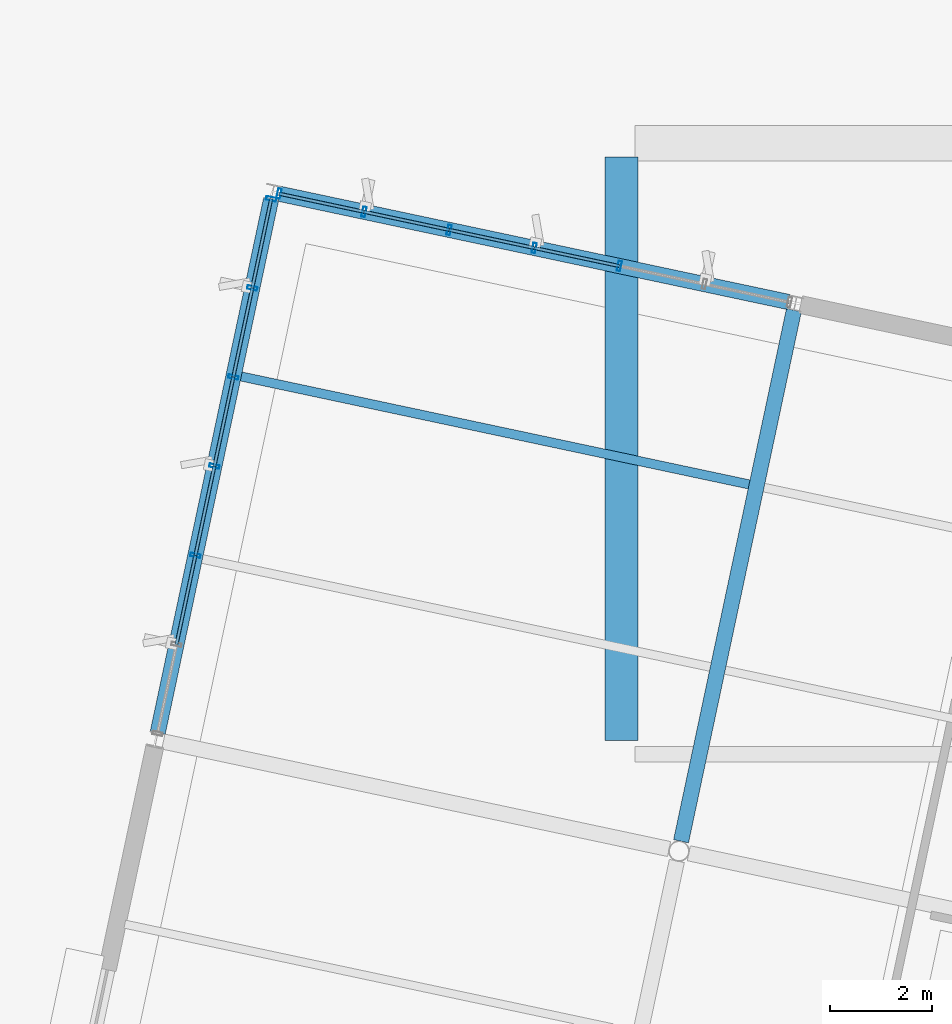
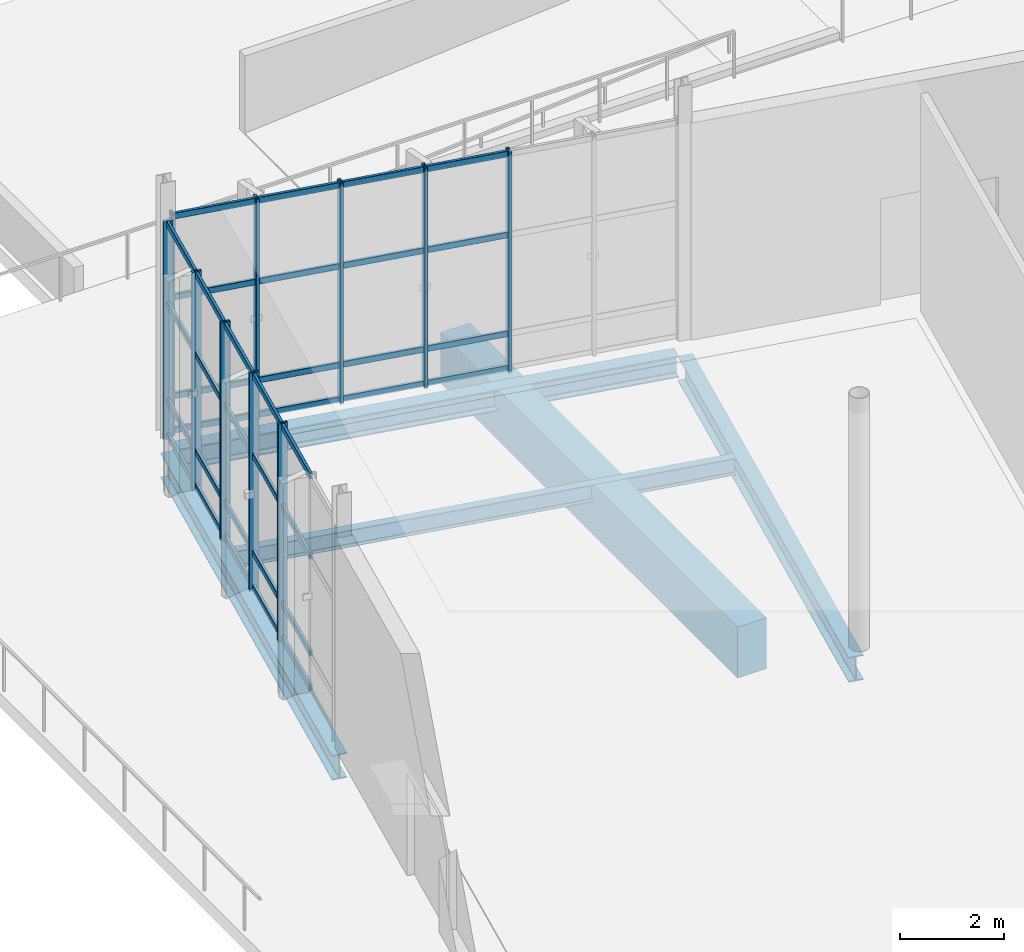
# One storey, part 55 of 163: 46 members, 5 beams, 2 elements without a shape of their own.
"""IFC4 building model written with IfcOpenShell, lengths in metres."""

from ifc_helpers import new_model, si_unit, direction, frame, origin, origin_2d, place, context, subcontext, project, spatial, rectangle, hollow_rectangle, i_section, extrude, material, layer, layer_set, material_profile, profile_set, type_object, element, aggregate, save


model = new_model("IFC4")

# Units and contexts
model_context = context("Model", 3, precision=1e-05, world=origin(), true_north=direction((0.0, 1.0)))
body_context = subcontext(model_context, "Body", "Model", "MODEL_VIEW")
ifc_project = project(units=[si_unit("LENGTHUNIT", "METRE"), si_unit("AREAUNIT", "SQUARE_METRE"), si_unit("VOLUMEUNIT", "CUBIC_METRE"), si_unit("PLANEANGLEUNIT", "RADIAN"), si_unit("MASSUNIT", "GRAM", prefix="KILO")], contexts=[model_context])

# Site, building, storey
site_placement = place(None, origin())
site = spatial("IfcSite", under=ifc_project, at=site_placement, CompositionType="ELEMENT")
building_placement = place(site_placement, origin())
building = spatial("IfcBuilding", under=site, at=building_placement, Name="Khorjan Park Terminus", CompositionType="ELEMENT")
storey_placement = place(building_placement, origin())
storey = spatial("IfcBuildingStorey", under=building, at=storey_placement, Name="L00", CompositionType="ELEMENT", Elevation=0.0)

# Beams
ifc_material_1 = material(Name="Steel S355", Category="steel")
ifc_material_profile_1 = material_profile(ifc_material_1, i_section(OverallWidth=0.3, OverallDepth=0.59, WebThickness=0.013, FlangeThickness=0.025, FilletRadius=0.027, at=origin_2d()), Name="HEA 600")
ifc_profile_set_1 = profile_set([ifc_material_profile_1], Name="Steel S355")
beam_type_1 = type_object("IfcBeamType", Name="BM-HEA600", PredefinedType="BEAM", material=ifc_profile_set_1)
beam_1_placement = place(storey_placement, frame((0.8912, 74.4207, -0.635), z_axis=(0.207916823947, 0.978146509639, 0.0), x_axis=(-0.978146509639, 0.207916823947, 0.0)))
element("IfcBeam", 1, at=beam_1_placement, inside=storey, type_object=beam_type_1, Name="Primary skew-grid floor girder SB-A60 (L00)", PredefinedType="BEAM", context=body_context, shape_type="SweptSolid", body=[
    extrude(i_section(OverallWidth=0.3, OverallDepth=0.59, WebThickness=0.013, FlangeThickness=0.025, FilletRadius=0.027, at=origin_2d()), origin(), (0.0, 0.0, 1.0), 10.7101),
])
beam_2_placement = place(storey_placement, frame((11.1728, 72.2897, -0.635), z_axis=(0.207916050279, 0.978146674091, 0.0), x_axis=(-0.978146674091, 0.207916050279, 0.0)))
element("IfcBeam", 2, at=beam_2_placement, inside=storey, type_object=beam_type_1, Name="Primary skew-grid floor girder SB-A60 (L00)", PredefinedType="BEAM", context=body_context, shape_type="SweptSolid", body=[
    extrude(i_section(OverallWidth=0.3, OverallDepth=0.59, WebThickness=0.013, FlangeThickness=0.025, FilletRadius=0.027, at=origin_2d()), origin(), (0.0, 0.0, 1.0), 10.6668),
])
ifc_material_profile_2 = material_profile(ifc_material_1, i_section(OverallWidth=0.3, OverallDepth=0.5, WebThickness=0.0145, FlangeThickness=0.028, FilletRadius=0.027, at=origin_2d()), Name="HEB 500")
ifc_profile_set_2 = profile_set([ifc_material_profile_2], Name="Steel S355")
beam_type_2 = type_object("IfcBeamType", Name="BM-HEB500", PredefinedType="BEAM", material=ifc_profile_set_2)
beam_3_placement = place(storey_placement, frame((3.2899, 85.0083, -0.59), z_axis=(0.978148877835, -0.207905682438, 0.0), x_axis=(0.207905682438, 0.978148877835, 0.0)))
element("IfcBeam", 3, at=beam_3_placement, inside=storey, type_object=beam_type_2, Name="Primary skew-grid floor girder SB-B50 (L00)", PredefinedType="BEAM", context=body_context, shape_type="SweptSolid", body=[
    extrude(i_section(OverallWidth=0.3, OverallDepth=0.5, WebThickness=0.0145, FlangeThickness=0.028, FilletRadius=0.027, at=origin_2d()), origin(), (0.0, 0.0, 1.0), 10.22),
])
ifc_material_2 = material(Name="Concrete C40/50", Category="concrete")
ifc_material_profile_3 = material_profile(ifc_material_2, rectangle(XDim=0.65, YDim=1.2, at=origin_2d()), Name="RC 650x1200")
ifc_profile_set_3 = profile_set([ifc_material_profile_3], Name="Concrete C40/50")
beam_type_3 = type_object("IfcBeamType", Name="BM-RC650x1200", PredefinedType="BEAM", material=ifc_profile_set_3)
beam_4_placement = place(storey_placement, frame((10.0, 74.27, -0.94), z_axis=(0.0, 1.0, 0.0), x_axis=(-1.0, 0.0, 0.0)))
element("IfcBeam", 4, at=beam_4_placement, inside=storey, type_object=beam_type_3, Name="Primary floor girder GB-12 (L00)", PredefinedType="BEAM", context=body_context, shape_type="SweptSolid", body=[
    extrude(rectangle(XDim=0.65, YDim=1.2, at=origin_2d()), origin(), (0.0, 0.0, 1.0), 11.46),
])
ifc_material_profile_4 = material_profile(ifc_material_1, i_section(OverallWidth=0.18, OverallDepth=0.4, WebThickness=0.0086, FlangeThickness=0.0135, FilletRadius=0.021, at=origin_2d()), Name="IPE 400")
ifc_profile_set_4 = profile_set([ifc_material_profile_4], Name="Steel S355")
beam_type_4 = type_object("IfcBeamType", Name="JS-IPE400", PredefinedType="JOIST", material=ifc_profile_set_4)
beam_5_placement = place(storey_placement, frame((2.5325, 81.4207, -0.54), z_axis=(0.978147562282, -0.207911871719, 0.0), x_axis=(0.207911871719, 0.978147562282, 0.0)))
element("IfcBeam", 5, at=beam_5_placement, inside=storey, type_object=beam_type_4, Name="Secondary composite floor joist SJ-40 (L00)", PredefinedType="JOIST", context=body_context, shape_type="SweptSolid", body=[
    extrude(i_section(OverallWidth=0.18, OverallDepth=0.4, WebThickness=0.0086, FlangeThickness=0.0135, FilletRadius=0.021, at=origin_2d()), origin(), (0.0, 0.0, 1.0), 10.2),
])

# Curtain wall, members
ifc_material_3 = material(Name="Anodized Bronze Aluminium", Category="aluminium")
ifc_layer = layer(ifc_material_3, 0.22)
ifc_layer_set = layer_set([ifc_layer], Name="Anodized Bronze Aluminium")
curtain_wall_type = type_object("IfcCurtainWallType", Name="CW-PAV-C", PredefinedType="NOTDEFINED", material=ifc_layer_set)
curtain_wall_1_placement = place(storey_placement, origin())
curtain_wall_1 = element("IfcCurtainWall", 6, at=curtain_wall_1_placement, inside=storey, type_object=curtain_wall_type, Name="Unitized curtain wall CW-C (CW-V4-N-L00-B03)", PredefinedType="NOTDEFINED")
ifc_material_profile_5 = material_profile(ifc_material_3, hollow_rectangle(XDim=0.07, YDim=0.2, WallThickness=0.005, InnerFilletRadius=0.005, OuterFilletRadius=0.01, at=origin_2d()), Name="ALM 70x200x5")
ifc_profile_set_5 = profile_set([ifc_material_profile_5], Name="Anodized Bronze Aluminium")
member_type_1 = type_object("IfcMemberType", Name="ML-ALM-200", PredefinedType="MULLION", material=ifc_profile_set_5)
member_1_placement = place(storey_placement, frame((9.9596, 83.5907, -0.035), z_axis=(0.0, 0.0, 1.0), x_axis=(-0.978147146591, 0.207913827382, 0.0)))
member_1 = element("IfcMember", 7, at=member_1_placement, type_object=member_type_1, Name="Curtain-wall mullion ML-20 (CW-V4-N-L00-B03-2)", PredefinedType="MULLION", context=body_context, shape_type="SweptSolid", body=[
    extrude(hollow_rectangle(XDim=0.07, YDim=0.2, WallThickness=0.005, InnerFilletRadius=0.005, OuterFilletRadius=0.01, at=origin_2d()), origin(), (0.0, 0.0, 1.0), 5.195),
])
member_2_placement = place(storey_placement, frame((8.2885, 83.9459, -0.035), z_axis=(0.0, 0.0, 1.0), x_axis=(-0.978147146591, 0.207913827382, 0.0)))
member_2 = element("IfcMember", 8, at=member_2_placement, type_object=member_type_1, Name="Curtain-wall mullion ML-20 (CW-V4-N-L00-B03-3)", PredefinedType="MULLION", context=body_context, shape_type="SweptSolid", body=[
    extrude(hollow_rectangle(XDim=0.07, YDim=0.2, WallThickness=0.005, InnerFilletRadius=0.005, OuterFilletRadius=0.01, at=origin_2d()), origin(), (0.0, 0.0, 1.0), 5.195),
])
member_3_placement = place(storey_placement, frame((6.6174, 84.3011, -0.035), z_axis=(0.0, 0.0, 1.0), x_axis=(-0.978147146591, 0.207913827382, 0.0)))
member_3 = element("IfcMember", 9, at=member_3_placement, type_object=member_type_1, Name="Curtain-wall mullion ML-20 (CW-V4-N-L00-B03-4)", PredefinedType="MULLION", context=body_context, shape_type="SweptSolid", body=[
    extrude(hollow_rectangle(XDim=0.07, YDim=0.2, WallThickness=0.005, InnerFilletRadius=0.005, OuterFilletRadius=0.01, at=origin_2d()), origin(), (0.0, 0.0, 1.0), 5.195),
])
member_4_placement = place(storey_placement, frame((4.9464, 84.6563, -0.035), z_axis=(0.0, 0.0, 1.0), x_axis=(-0.978147146591, 0.207913827382, 0.0)))
member_4 = element("IfcMember", 10, at=member_4_placement, type_object=member_type_1, Name="Curtain-wall mullion ML-20 (CW-V4-N-L00-B03-5)", PredefinedType="MULLION", context=body_context, shape_type="SweptSolid", body=[
    extrude(hollow_rectangle(XDim=0.07, YDim=0.2, WallThickness=0.005, InnerFilletRadius=0.005, OuterFilletRadius=0.01, at=origin_2d()), origin(), (0.0, 0.0, 1.0), 5.195),
])
member_5_placement = place(storey_placement, frame((3.2753, 85.0115, -0.035), z_axis=(0.0, 0.0, 1.0), x_axis=(-0.978147146591, 0.207913827382, 0.0)))
member_5 = element("IfcMember", 11, at=member_5_placement, type_object=member_type_1, Name="Curtain-wall mullion ML-20 (CW-V4-N-L00-B03-6)", PredefinedType="MULLION", context=body_context, shape_type="SweptSolid", body=[
    extrude(hollow_rectangle(XDim=0.07, YDim=0.2, WallThickness=0.005, InnerFilletRadius=0.005, OuterFilletRadius=0.01, at=origin_2d()), origin(), (0.0, 0.0, 1.0), 5.195),
])

curtain_wall_2_placement = place(storey_placement, origin())
curtain_wall_2 = element("IfcCurtainWall", 12, at=curtain_wall_2_placement, inside=storey, type_object=curtain_wall_type, Name="Unitized curtain wall CW-C (CW-V4-W-L00-B01)", PredefinedType="NOTDEFINED")
member_6_placement = place(storey_placement, frame((3.121, 84.9108, -0.035), z_axis=(0.0, 0.0, 1.0), x_axis=(-0.207916776669, -0.978146519689, 0.0)))
member_6 = element("IfcMember", 13, at=member_6_placement, type_object=member_type_1, Name="Curtain-wall mullion ML-20 (CW-V4-W-L00-B01-0)", PredefinedType="MULLION", context=body_context, shape_type="SweptSolid", body=[
    extrude(hollow_rectangle(XDim=0.07, YDim=0.2, WallThickness=0.005, InnerFilletRadius=0.005, OuterFilletRadius=0.01, at=origin_2d()), origin(), (0.0, 0.0, 1.0), 5.135),
])
member_7_placement = place(storey_placement, frame((2.7489, 83.16, -0.035), z_axis=(0.0, 0.0, 1.0), x_axis=(-0.207916776669, -0.978146519689, 0.0)))
member_7 = element("IfcMember", 14, at=member_7_placement, type_object=member_type_1, Name="Curtain-wall mullion ML-20 (CW-V4-W-L00-B01-1)", PredefinedType="MULLION", context=body_context, shape_type="SweptSolid", body=[
    extrude(hollow_rectangle(XDim=0.07, YDim=0.2, WallThickness=0.005, InnerFilletRadius=0.005, OuterFilletRadius=0.01, at=origin_2d()), origin(), (0.0, 0.0, 1.0), 5.135),
])
member_8_placement = place(storey_placement, frame((2.3767, 81.4092, -0.035), z_axis=(0.0, 0.0, 1.0), x_axis=(-0.207916776669, -0.978146519689, 0.0)))
member_8 = element("IfcMember", 15, at=member_8_placement, type_object=member_type_1, Name="Curtain-wall mullion ML-20 (CW-V4-W-L00-B01-2)", PredefinedType="MULLION", context=body_context, shape_type="SweptSolid", body=[
    extrude(hollow_rectangle(XDim=0.07, YDim=0.2, WallThickness=0.005, InnerFilletRadius=0.005, OuterFilletRadius=0.01, at=origin_2d()), origin(), (0.0, 0.0, 1.0), 5.135),
])
member_9_placement = place(storey_placement, frame((2.0046, 79.6584, -0.035), z_axis=(0.0, 0.0, 1.0), x_axis=(-0.207916776669, -0.978146519689, 0.0)))
member_9 = element("IfcMember", 16, at=member_9_placement, type_object=member_type_1, Name="Curtain-wall mullion ML-20 (CW-V4-W-L00-B01-3)", PredefinedType="MULLION", context=body_context, shape_type="SweptSolid", body=[
    extrude(hollow_rectangle(XDim=0.07, YDim=0.2, WallThickness=0.005, InnerFilletRadius=0.005, OuterFilletRadius=0.01, at=origin_2d()), origin(), (0.0, 0.0, 1.0), 5.135),
])
member_10_placement = place(storey_placement, frame((1.6324, 77.9077, -0.035), z_axis=(0.0, 0.0, 1.0), x_axis=(-0.207916776669, -0.978146519689, 0.0)))
member_10 = element("IfcMember", 17, at=member_10_placement, type_object=member_type_1, Name="Curtain-wall mullion ML-20 (CW-V4-W-L00-B01-4)", PredefinedType="MULLION", context=body_context, shape_type="SweptSolid", body=[
    extrude(hollow_rectangle(XDim=0.07, YDim=0.2, WallThickness=0.005, InnerFilletRadius=0.005, OuterFilletRadius=0.01, at=origin_2d()), origin(), (0.0, 0.0, 1.0), 5.135),
])

# Member
ifc_material_profile_6 = material_profile(ifc_material_3, hollow_rectangle(XDim=0.065, YDim=0.14, WallThickness=0.004, InnerFilletRadius=0.004, OuterFilletRadius=0.008, at=origin_2d()), Name="ALT 65x140x4")
ifc_profile_set_6 = profile_set([ifc_material_profile_6], Name="Anodized Bronze Aluminium")
member_type_2 = type_object("IfcMemberType", Name="TR-ALT-140", PredefinedType="USERDEFINED", material=ifc_profile_set_6)
member_11_placement = place(storey_placement, frame((9.9596, 83.5907, 0.04), z_axis=(-0.978147990011, 0.207909859405, 0.0), x_axis=(-0.207909859405, -0.978147990011, 0.0)))
member_11 = element("IfcMember", 18, at=member_11_placement, type_object=member_type_2, Name="Curtain-wall transom TR-14 (CW-V4-N-L00-B03-2-1)", ObjectType="TRANSOM", PredefinedType="USERDEFINED", context=body_context, shape_type="SweptSolid", body=[
    extrude(hollow_rectangle(XDim=0.065, YDim=0.14, WallThickness=0.004, InnerFilletRadius=0.004, OuterFilletRadius=0.008, at=origin_2d()), origin(), (0.0, 0.0, 1.0), 1.7084),
])

member_12_placement = place(storey_placement, frame((9.9596, 83.5907, 0.85), z_axis=(-0.978147990011, 0.207909859405, 0.0), x_axis=(-0.207909859405, -0.978147990011, 0.0)))
member_12 = element("IfcMember", 19, at=member_12_placement, type_object=member_type_2, Name="Curtain-wall transom TR-14 (CW-V4-N-L00-B03-2-2)", ObjectType="TRANSOM", PredefinedType="USERDEFINED", context=body_context, shape_type="SweptSolid", body=[
    extrude(hollow_rectangle(XDim=0.065, YDim=0.14, WallThickness=0.004, InnerFilletRadius=0.004, OuterFilletRadius=0.008, at=origin_2d()), origin(), (0.0, 0.0, 1.0), 1.7084),
])

member_13_placement = place(storey_placement, frame((9.9596, 83.5907, 3.1775), z_axis=(-0.978147990011, 0.207909859405, 0.0), x_axis=(-0.207909859405, -0.978147990011, 0.0)))
member_13 = element("IfcMember", 20, at=member_13_placement, type_object=member_type_2, Name="Curtain-wall transom TR-14 (CW-V4-N-L00-B03-2-3)", ObjectType="TRANSOM", PredefinedType="USERDEFINED", context=body_context, shape_type="SweptSolid", body=[
    extrude(hollow_rectangle(XDim=0.065, YDim=0.14, WallThickness=0.004, InnerFilletRadius=0.004, OuterFilletRadius=0.008, at=origin_2d()), origin(), (0.0, 0.0, 1.0), 1.7084),
])

member_14_placement = place(storey_placement, frame((9.9596, 83.5907, 5.085), z_axis=(-0.978147990011, 0.207909859405, 0.0), x_axis=(-0.207909859405, -0.978147990011, 0.0)))
member_14 = element("IfcMember", 21, at=member_14_placement, type_object=member_type_2, Name="Curtain-wall transom TR-14 (CW-V4-N-L00-B03-2-4)", ObjectType="TRANSOM", PredefinedType="USERDEFINED", context=body_context, shape_type="SweptSolid", body=[
    extrude(hollow_rectangle(XDim=0.065, YDim=0.14, WallThickness=0.004, InnerFilletRadius=0.004, OuterFilletRadius=0.008, at=origin_2d()), origin(), (0.0, 0.0, 1.0), 1.7084),
])

member_15_placement = place(storey_placement, frame((8.2885, 83.9459, 0.04), z_axis=(-0.978147990011, 0.207909859405, 0.0), x_axis=(-0.207909859405, -0.978147990011, 0.0)))
member_15 = element("IfcMember", 22, at=member_15_placement, type_object=member_type_2, Name="Curtain-wall transom TR-14 (CW-V4-N-L00-B03-3-1)", ObjectType="TRANSOM", PredefinedType="USERDEFINED", context=body_context, shape_type="SweptSolid", body=[
    extrude(hollow_rectangle(XDim=0.065, YDim=0.14, WallThickness=0.004, InnerFilletRadius=0.004, OuterFilletRadius=0.008, at=origin_2d()), origin(), (0.0, 0.0, 1.0), 1.7084),
])

member_16_placement = place(storey_placement, frame((8.2885, 83.9459, 0.85), z_axis=(-0.978147990011, 0.207909859405, 0.0), x_axis=(-0.207909859405, -0.978147990011, 0.0)))
member_16 = element("IfcMember", 23, at=member_16_placement, type_object=member_type_2, Name="Curtain-wall transom TR-14 (CW-V4-N-L00-B03-3-2)", ObjectType="TRANSOM", PredefinedType="USERDEFINED", context=body_context, shape_type="SweptSolid", body=[
    extrude(hollow_rectangle(XDim=0.065, YDim=0.14, WallThickness=0.004, InnerFilletRadius=0.004, OuterFilletRadius=0.008, at=origin_2d()), origin(), (0.0, 0.0, 1.0), 1.7084),
])

member_17_placement = place(storey_placement, frame((8.2885, 83.9459, 3.1775), z_axis=(-0.978147990011, 0.207909859405, 0.0), x_axis=(-0.207909859405, -0.978147990011, 0.0)))
member_17 = element("IfcMember", 24, at=member_17_placement, type_object=member_type_2, Name="Curtain-wall transom TR-14 (CW-V4-N-L00-B03-3-3)", ObjectType="TRANSOM", PredefinedType="USERDEFINED", context=body_context, shape_type="SweptSolid", body=[
    extrude(hollow_rectangle(XDim=0.065, YDim=0.14, WallThickness=0.004, InnerFilletRadius=0.004, OuterFilletRadius=0.008, at=origin_2d()), origin(), (0.0, 0.0, 1.0), 1.7084),
])

member_18_placement = place(storey_placement, frame((8.2885, 83.9459, 5.085), z_axis=(-0.978147990011, 0.207909859405, 0.0), x_axis=(-0.207909859405, -0.978147990011, 0.0)))
member_18 = element("IfcMember", 25, at=member_18_placement, type_object=member_type_2, Name="Curtain-wall transom TR-14 (CW-V4-N-L00-B03-3-4)", ObjectType="TRANSOM", PredefinedType="USERDEFINED", context=body_context, shape_type="SweptSolid", body=[
    extrude(hollow_rectangle(XDim=0.065, YDim=0.14, WallThickness=0.004, InnerFilletRadius=0.004, OuterFilletRadius=0.008, at=origin_2d()), origin(), (0.0, 0.0, 1.0), 1.7084),
])

member_19_placement = place(storey_placement, frame((6.6174, 84.3011, 0.04), z_axis=(-0.978145459608, 0.207921763766, 0.0), x_axis=(-0.207921763766, -0.978145459608, 0.0)))
member_19 = element("IfcMember", 26, at=member_19_placement, type_object=member_type_2, Name="Curtain-wall transom TR-14 (CW-V4-N-L00-B03-4-1)", ObjectType="TRANSOM", PredefinedType="USERDEFINED", context=body_context, shape_type="SweptSolid", body=[
    extrude(hollow_rectangle(XDim=0.065, YDim=0.14, WallThickness=0.004, InnerFilletRadius=0.004, OuterFilletRadius=0.008, at=origin_2d()), origin(), (0.0, 0.0, 1.0), 1.7083),
])

member_20_placement = place(storey_placement, frame((6.6174, 84.3011, 0.85), z_axis=(-0.978145459608, 0.207921763766, 0.0), x_axis=(-0.207921763766, -0.978145459608, 0.0)))
member_20 = element("IfcMember", 27, at=member_20_placement, type_object=member_type_2, Name="Curtain-wall transom TR-14 (CW-V4-N-L00-B03-4-2)", ObjectType="TRANSOM", PredefinedType="USERDEFINED", context=body_context, shape_type="SweptSolid", body=[
    extrude(hollow_rectangle(XDim=0.065, YDim=0.14, WallThickness=0.004, InnerFilletRadius=0.004, OuterFilletRadius=0.008, at=origin_2d()), origin(), (0.0, 0.0, 1.0), 1.7083),
])

member_21_placement = place(storey_placement, frame((6.6174, 84.3011, 3.1775), z_axis=(-0.978145459608, 0.207921763766, 0.0), x_axis=(-0.207921763766, -0.978145459608, 0.0)))
member_21 = element("IfcMember", 28, at=member_21_placement, type_object=member_type_2, Name="Curtain-wall transom TR-14 (CW-V4-N-L00-B03-4-3)", ObjectType="TRANSOM", PredefinedType="USERDEFINED", context=body_context, shape_type="SweptSolid", body=[
    extrude(hollow_rectangle(XDim=0.065, YDim=0.14, WallThickness=0.004, InnerFilletRadius=0.004, OuterFilletRadius=0.008, at=origin_2d()), origin(), (0.0, 0.0, 1.0), 1.7083),
])

member_22_placement = place(storey_placement, frame((6.6174, 84.3011, 5.085), z_axis=(-0.978145459608, 0.207921763766, 0.0), x_axis=(-0.207921763766, -0.978145459608, 0.0)))
member_22 = element("IfcMember", 29, at=member_22_placement, type_object=member_type_2, Name="Curtain-wall transom TR-14 (CW-V4-N-L00-B03-4-4)", ObjectType="TRANSOM", PredefinedType="USERDEFINED", context=body_context, shape_type="SweptSolid", body=[
    extrude(hollow_rectangle(XDim=0.065, YDim=0.14, WallThickness=0.004, InnerFilletRadius=0.004, OuterFilletRadius=0.008, at=origin_2d()), origin(), (0.0, 0.0, 1.0), 1.7083),
])

member_23_placement = place(storey_placement, frame((4.9464, 84.6563, 0.04), z_axis=(-0.978147990011, 0.207909859405, 0.0), x_axis=(-0.207909859405, -0.978147990011, 0.0)))
member_23 = element("IfcMember", 30, at=member_23_placement, type_object=member_type_2, Name="Curtain-wall transom TR-14 (CW-V4-N-L00-B03-5-1)", ObjectType="TRANSOM", PredefinedType="USERDEFINED", context=body_context, shape_type="SweptSolid", body=[
    extrude(hollow_rectangle(XDim=0.065, YDim=0.14, WallThickness=0.004, InnerFilletRadius=0.004, OuterFilletRadius=0.008, at=origin_2d()), origin(), (0.0, 0.0, 1.0), 1.7084),
])

member_24_placement = place(storey_placement, frame((4.9464, 84.6563, 0.85), z_axis=(-0.978147990011, 0.207909859405, 0.0), x_axis=(-0.207909859405, -0.978147990011, 0.0)))
member_24 = element("IfcMember", 31, at=member_24_placement, type_object=member_type_2, Name="Curtain-wall transom TR-14 (CW-V4-N-L00-B03-5-2)", ObjectType="TRANSOM", PredefinedType="USERDEFINED", context=body_context, shape_type="SweptSolid", body=[
    extrude(hollow_rectangle(XDim=0.065, YDim=0.14, WallThickness=0.004, InnerFilletRadius=0.004, OuterFilletRadius=0.008, at=origin_2d()), origin(), (0.0, 0.0, 1.0), 1.7084),
])

member_25_placement = place(storey_placement, frame((4.9464, 84.6563, 3.1775), z_axis=(-0.978147990011, 0.207909859405, 0.0), x_axis=(-0.207909859405, -0.978147990011, 0.0)))
member_25 = element("IfcMember", 32, at=member_25_placement, type_object=member_type_2, Name="Curtain-wall transom TR-14 (CW-V4-N-L00-B03-5-3)", ObjectType="TRANSOM", PredefinedType="USERDEFINED", context=body_context, shape_type="SweptSolid", body=[
    extrude(hollow_rectangle(XDim=0.065, YDim=0.14, WallThickness=0.004, InnerFilletRadius=0.004, OuterFilletRadius=0.008, at=origin_2d()), origin(), (0.0, 0.0, 1.0), 1.7084),
])

member_26_placement = place(storey_placement, frame((4.9464, 84.6563, 5.085), z_axis=(-0.978147990011, 0.207909859405, 0.0), x_axis=(-0.207909859405, -0.978147990011, 0.0)))
member_26 = element("IfcMember", 33, at=member_26_placement, type_object=member_type_2, Name="Curtain-wall transom TR-14 (CW-V4-N-L00-B03-5-4)", ObjectType="TRANSOM", PredefinedType="USERDEFINED", context=body_context, shape_type="SweptSolid", body=[
    extrude(hollow_rectangle(XDim=0.065, YDim=0.14, WallThickness=0.004, InnerFilletRadius=0.004, OuterFilletRadius=0.008, at=origin_2d()), origin(), (0.0, 0.0, 1.0), 1.7084),
])

aggregate(curtain_wall_1, [member_1, member_2, member_3, member_4, member_5, member_11, member_12, member_13, member_14, member_15, member_16, member_17, member_18, member_19, member_20, member_21, member_22, member_23, member_24, member_25, member_26])

member_27_placement = place(storey_placement, frame((3.121, 84.9108, 0.04), z_axis=(-0.207888156011, -0.978152602915, 0.0), x_axis=(0.978152602915, -0.207888156011, 0.0)))
member_27 = element("IfcMember", 34, at=member_27_placement, type_object=member_type_2, Name="Curtain-wall transom TR-14 (CW-V4-W-L00-B01-0-1)", ObjectType="TRANSOM", PredefinedType="USERDEFINED", context=body_context, shape_type="SweptSolid", body=[
    extrude(hollow_rectangle(XDim=0.065, YDim=0.14, WallThickness=0.004, InnerFilletRadius=0.004, OuterFilletRadius=0.008, at=origin_2d()), origin(), (0.0, 0.0, 1.0), 1.7899),
])

member_28_placement = place(storey_placement, frame((3.121, 84.9108, 0.85), z_axis=(-0.207888156011, -0.978152602915, 0.0), x_axis=(0.978152602915, -0.207888156011, 0.0)))
member_28 = element("IfcMember", 35, at=member_28_placement, type_object=member_type_2, Name="Curtain-wall transom TR-14 (CW-V4-W-L00-B01-0-2)", ObjectType="TRANSOM", PredefinedType="USERDEFINED", context=body_context, shape_type="SweptSolid", body=[
    extrude(hollow_rectangle(XDim=0.065, YDim=0.14, WallThickness=0.004, InnerFilletRadius=0.004, OuterFilletRadius=0.008, at=origin_2d()), origin(), (0.0, 0.0, 1.0), 1.7899),
])

member_29_placement = place(storey_placement, frame((3.121, 84.9108, 3.1403), z_axis=(-0.207888156011, -0.978152602915, 0.0), x_axis=(0.978152602915, -0.207888156011, 0.0)))
member_29 = element("IfcMember", 36, at=member_29_placement, type_object=member_type_2, Name="Curtain-wall transom TR-14 (CW-V4-W-L00-B01-0-3)", ObjectType="TRANSOM", PredefinedType="USERDEFINED", context=body_context, shape_type="SweptSolid", body=[
    extrude(hollow_rectangle(XDim=0.065, YDim=0.14, WallThickness=0.004, InnerFilletRadius=0.004, OuterFilletRadius=0.008, at=origin_2d()), origin(), (0.0, 0.0, 1.0), 1.7899),
])

member_30_placement = place(storey_placement, frame((3.121, 84.9108, 5.025), z_axis=(-0.207888156011, -0.978152602915, 0.0), x_axis=(0.978152602915, -0.207888156011, 0.0)))
member_30 = element("IfcMember", 37, at=member_30_placement, type_object=member_type_2, Name="Curtain-wall transom TR-14 (CW-V4-W-L00-B01-0-4)", ObjectType="TRANSOM", PredefinedType="USERDEFINED", context=body_context, shape_type="SweptSolid", body=[
    extrude(hollow_rectangle(XDim=0.065, YDim=0.14, WallThickness=0.004, InnerFilletRadius=0.004, OuterFilletRadius=0.008, at=origin_2d()), origin(), (0.0, 0.0, 1.0), 1.7899),
])

member_31_placement = place(storey_placement, frame((2.7489, 83.16, 0.04), z_axis=(-0.207941609461, -0.978141240852, 0.0), x_axis=(0.978141240852, -0.207941609461, 0.0)))
member_31 = element("IfcMember", 38, at=member_31_placement, type_object=member_type_2, Name="Curtain-wall transom TR-14 (CW-V4-W-L00-B01-1-1)", ObjectType="TRANSOM", PredefinedType="USERDEFINED", context=body_context, shape_type="SweptSolid", body=[
    extrude(hollow_rectangle(XDim=0.065, YDim=0.14, WallThickness=0.004, InnerFilletRadius=0.004, OuterFilletRadius=0.008, at=origin_2d()), origin(), (0.0, 0.0, 1.0), 1.7899),
])

member_32_placement = place(storey_placement, frame((2.7489, 83.16, 0.85), z_axis=(-0.207941609461, -0.978141240852, 0.0), x_axis=(0.978141240852, -0.207941609461, 0.0)))
member_32 = element("IfcMember", 39, at=member_32_placement, type_object=member_type_2, Name="Curtain-wall transom TR-14 (CW-V4-W-L00-B01-1-2)", ObjectType="TRANSOM", PredefinedType="USERDEFINED", context=body_context, shape_type="SweptSolid", body=[
    extrude(hollow_rectangle(XDim=0.065, YDim=0.14, WallThickness=0.004, InnerFilletRadius=0.004, OuterFilletRadius=0.008, at=origin_2d()), origin(), (0.0, 0.0, 1.0), 1.7899),
])

member_33_placement = place(storey_placement, frame((2.7489, 83.16, 3.1403), z_axis=(-0.207941609461, -0.978141240852, 0.0), x_axis=(0.978141240852, -0.207941609461, 0.0)))
member_33 = element("IfcMember", 40, at=member_33_placement, type_object=member_type_2, Name="Curtain-wall transom TR-14 (CW-V4-W-L00-B01-1-3)", ObjectType="TRANSOM", PredefinedType="USERDEFINED", context=body_context, shape_type="SweptSolid", body=[
    extrude(hollow_rectangle(XDim=0.065, YDim=0.14, WallThickness=0.004, InnerFilletRadius=0.004, OuterFilletRadius=0.008, at=origin_2d()), origin(), (0.0, 0.0, 1.0), 1.7899),
])

member_34_placement = place(storey_placement, frame((2.7489, 83.16, 5.025), z_axis=(-0.207941609461, -0.978141240852, 0.0), x_axis=(0.978141240852, -0.207941609461, 0.0)))
member_34 = element("IfcMember", 41, at=member_34_placement, type_object=member_type_2, Name="Curtain-wall transom TR-14 (CW-V4-W-L00-B01-1-4)", ObjectType="TRANSOM", PredefinedType="USERDEFINED", context=body_context, shape_type="SweptSolid", body=[
    extrude(hollow_rectangle(XDim=0.065, YDim=0.14, WallThickness=0.004, InnerFilletRadius=0.004, OuterFilletRadius=0.008, at=origin_2d()), origin(), (0.0, 0.0, 1.0), 1.7899),
])

member_35_placement = place(storey_placement, frame((2.3767, 81.4092, 0.04), z_axis=(-0.207888156011, -0.978152602915, 0.0), x_axis=(0.978152602915, -0.207888156011, 0.0)))
member_35 = element("IfcMember", 42, at=member_35_placement, type_object=member_type_2, Name="Curtain-wall transom TR-14 (CW-V4-W-L00-B01-2-1)", ObjectType="TRANSOM", PredefinedType="USERDEFINED", context=body_context, shape_type="SweptSolid", body=[
    extrude(hollow_rectangle(XDim=0.065, YDim=0.14, WallThickness=0.004, InnerFilletRadius=0.004, OuterFilletRadius=0.008, at=origin_2d()), origin(), (0.0, 0.0, 1.0), 1.7899),
])

member_36_placement = place(storey_placement, frame((2.3767, 81.4092, 0.85), z_axis=(-0.207888156011, -0.978152602915, 0.0), x_axis=(0.978152602915, -0.207888156011, 0.0)))
member_36 = element("IfcMember", 43, at=member_36_placement, type_object=member_type_2, Name="Curtain-wall transom TR-14 (CW-V4-W-L00-B01-2-2)", ObjectType="TRANSOM", PredefinedType="USERDEFINED", context=body_context, shape_type="SweptSolid", body=[
    extrude(hollow_rectangle(XDim=0.065, YDim=0.14, WallThickness=0.004, InnerFilletRadius=0.004, OuterFilletRadius=0.008, at=origin_2d()), origin(), (0.0, 0.0, 1.0), 1.7899),
])

member_37_placement = place(storey_placement, frame((2.3767, 81.4092, 3.1403), z_axis=(-0.207888156011, -0.978152602915, 0.0), x_axis=(0.978152602915, -0.207888156011, 0.0)))
member_37 = element("IfcMember", 44, at=member_37_placement, type_object=member_type_2, Name="Curtain-wall transom TR-14 (CW-V4-W-L00-B01-2-3)", ObjectType="TRANSOM", PredefinedType="USERDEFINED", context=body_context, shape_type="SweptSolid", body=[
    extrude(hollow_rectangle(XDim=0.065, YDim=0.14, WallThickness=0.004, InnerFilletRadius=0.004, OuterFilletRadius=0.008, at=origin_2d()), origin(), (0.0, 0.0, 1.0), 1.7899),
])

member_38_placement = place(storey_placement, frame((2.3767, 81.4092, 5.025), z_axis=(-0.207888156011, -0.978152602915, 0.0), x_axis=(0.978152602915, -0.207888156011, 0.0)))
member_38 = element("IfcMember", 45, at=member_38_placement, type_object=member_type_2, Name="Curtain-wall transom TR-14 (CW-V4-W-L00-B01-2-4)", ObjectType="TRANSOM", PredefinedType="USERDEFINED", context=body_context, shape_type="SweptSolid", body=[
    extrude(hollow_rectangle(XDim=0.065, YDim=0.14, WallThickness=0.004, InnerFilletRadius=0.004, OuterFilletRadius=0.008, at=origin_2d()), origin(), (0.0, 0.0, 1.0), 1.7899),
])

member_39_placement = place(storey_placement, frame((2.0046, 79.6584, 0.04), z_axis=(-0.207952973461, -0.978138824927, 0.0), x_axis=(0.978138824927, -0.207952973461, 0.0)))
member_39 = element("IfcMember", 46, at=member_39_placement, type_object=member_type_2, Name="Curtain-wall transom TR-14 (CW-V4-W-L00-B01-3-1)", ObjectType="TRANSOM", PredefinedType="USERDEFINED", context=body_context, shape_type="SweptSolid", body=[
    extrude(hollow_rectangle(XDim=0.065, YDim=0.14, WallThickness=0.004, InnerFilletRadius=0.004, OuterFilletRadius=0.008, at=origin_2d()), origin(), (0.0, 0.0, 1.0), 1.7898),
])

member_40_placement = place(storey_placement, frame((2.0046, 79.6584, 0.85), z_axis=(-0.207952973461, -0.978138824927, 0.0), x_axis=(0.978138824927, -0.207952973461, 0.0)))
member_40 = element("IfcMember", 47, at=member_40_placement, type_object=member_type_2, Name="Curtain-wall transom TR-14 (CW-V4-W-L00-B01-3-2)", ObjectType="TRANSOM", PredefinedType="USERDEFINED", context=body_context, shape_type="SweptSolid", body=[
    extrude(hollow_rectangle(XDim=0.065, YDim=0.14, WallThickness=0.004, InnerFilletRadius=0.004, OuterFilletRadius=0.008, at=origin_2d()), origin(), (0.0, 0.0, 1.0), 1.7898),
])

member_41_placement = place(storey_placement, frame((2.0046, 79.6584, 3.1403), z_axis=(-0.207952973461, -0.978138824927, 0.0), x_axis=(0.978138824927, -0.207952973461, 0.0)))
member_41 = element("IfcMember", 48, at=member_41_placement, type_object=member_type_2, Name="Curtain-wall transom TR-14 (CW-V4-W-L00-B01-3-3)", ObjectType="TRANSOM", PredefinedType="USERDEFINED", context=body_context, shape_type="SweptSolid", body=[
    extrude(hollow_rectangle(XDim=0.065, YDim=0.14, WallThickness=0.004, InnerFilletRadius=0.004, OuterFilletRadius=0.008, at=origin_2d()), origin(), (0.0, 0.0, 1.0), 1.7898),
])

member_42_placement = place(storey_placement, frame((2.0046, 79.6584, 5.025), z_axis=(-0.207952973461, -0.978138824927, 0.0), x_axis=(0.978138824927, -0.207952973461, 0.0)))
member_42 = element("IfcMember", 49, at=member_42_placement, type_object=member_type_2, Name="Curtain-wall transom TR-14 (CW-V4-W-L00-B01-3-4)", ObjectType="TRANSOM", PredefinedType="USERDEFINED", context=body_context, shape_type="SweptSolid", body=[
    extrude(hollow_rectangle(XDim=0.065, YDim=0.14, WallThickness=0.004, InnerFilletRadius=0.004, OuterFilletRadius=0.008, at=origin_2d()), origin(), (0.0, 0.0, 1.0), 1.7898),
])

member_43_placement = place(storey_placement, frame((1.6324, 77.9077, 0.04), z_axis=(-0.207888156011, -0.978152602915, 0.0), x_axis=(0.978152602915, -0.207888156011, 0.0)))
member_43 = element("IfcMember", 50, at=member_43_placement, type_object=member_type_2, Name="Curtain-wall transom TR-14 (CW-V4-W-L00-B01-4-1)", ObjectType="TRANSOM", PredefinedType="USERDEFINED", context=body_context, shape_type="SweptSolid", body=[
    extrude(hollow_rectangle(XDim=0.065, YDim=0.14, WallThickness=0.004, InnerFilletRadius=0.004, OuterFilletRadius=0.008, at=origin_2d()), origin(), (0.0, 0.0, 1.0), 1.7899),
])

member_44_placement = place(storey_placement, frame((1.6324, 77.9077, 0.85), z_axis=(-0.207888156011, -0.978152602915, 0.0), x_axis=(0.978152602915, -0.207888156011, 0.0)))
member_44 = element("IfcMember", 51, at=member_44_placement, type_object=member_type_2, Name="Curtain-wall transom TR-14 (CW-V4-W-L00-B01-4-2)", ObjectType="TRANSOM", PredefinedType="USERDEFINED", context=body_context, shape_type="SweptSolid", body=[
    extrude(hollow_rectangle(XDim=0.065, YDim=0.14, WallThickness=0.004, InnerFilletRadius=0.004, OuterFilletRadius=0.008, at=origin_2d()), origin(), (0.0, 0.0, 1.0), 1.7899),
])

member_45_placement = place(storey_placement, frame((1.6324, 77.9077, 3.1403), z_axis=(-0.207888156011, -0.978152602915, 0.0), x_axis=(0.978152602915, -0.207888156011, 0.0)))
member_45 = element("IfcMember", 52, at=member_45_placement, type_object=member_type_2, Name="Curtain-wall transom TR-14 (CW-V4-W-L00-B01-4-3)", ObjectType="TRANSOM", PredefinedType="USERDEFINED", context=body_context, shape_type="SweptSolid", body=[
    extrude(hollow_rectangle(XDim=0.065, YDim=0.14, WallThickness=0.004, InnerFilletRadius=0.004, OuterFilletRadius=0.008, at=origin_2d()), origin(), (0.0, 0.0, 1.0), 1.7899),
])

member_46_placement = place(storey_placement, frame((1.6324, 77.9077, 5.025), z_axis=(-0.207888156011, -0.978152602915, 0.0), x_axis=(0.978152602915, -0.207888156011, 0.0)))
member_46 = element("IfcMember", 53, at=member_46_placement, type_object=member_type_2, Name="Curtain-wall transom TR-14 (CW-V4-W-L00-B01-4-4)", ObjectType="TRANSOM", PredefinedType="USERDEFINED", context=body_context, shape_type="SweptSolid", body=[
    extrude(hollow_rectangle(XDim=0.065, YDim=0.14, WallThickness=0.004, InnerFilletRadius=0.004, OuterFilletRadius=0.008, at=origin_2d()), origin(), (0.0, 0.0, 1.0), 1.7899),
])

aggregate(curtain_wall_2, [member_6, member_7, member_8, member_9, member_10, member_27, member_28, member_29, member_30, member_31, member_32, member_33, member_34, member_35, member_36, member_37, member_38, member_39, member_40, member_41, member_42, member_43, member_44, member_45, member_46])

save(model, "model.ifc")
